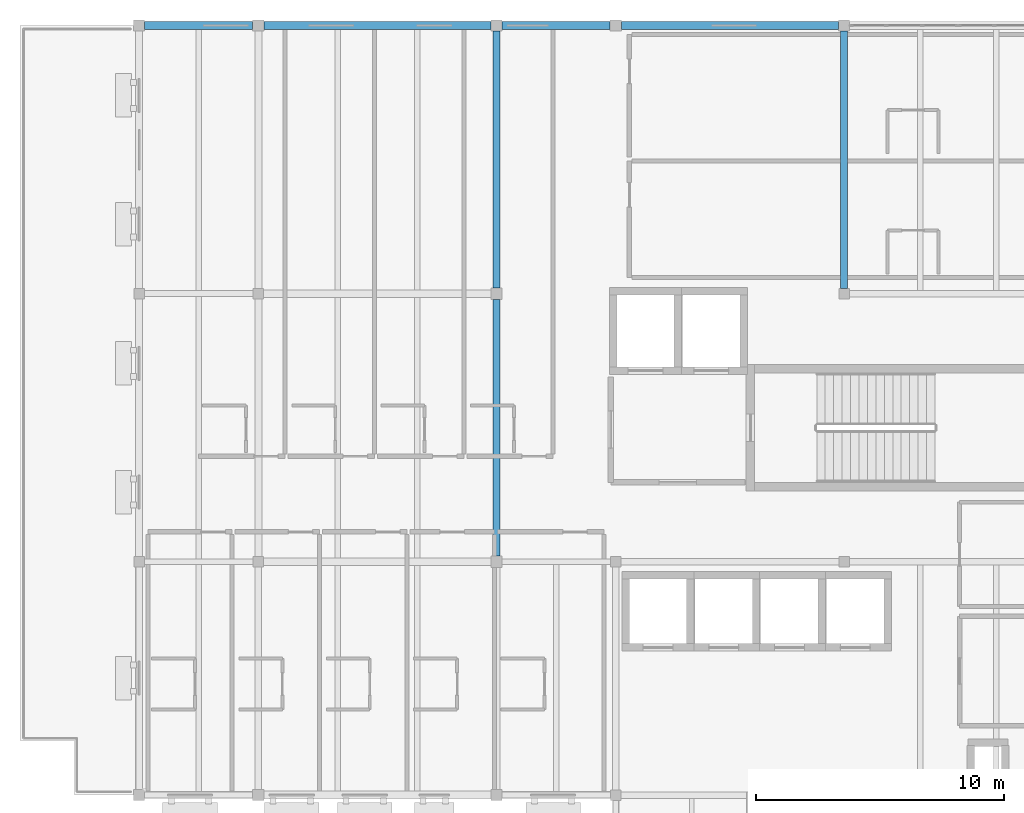
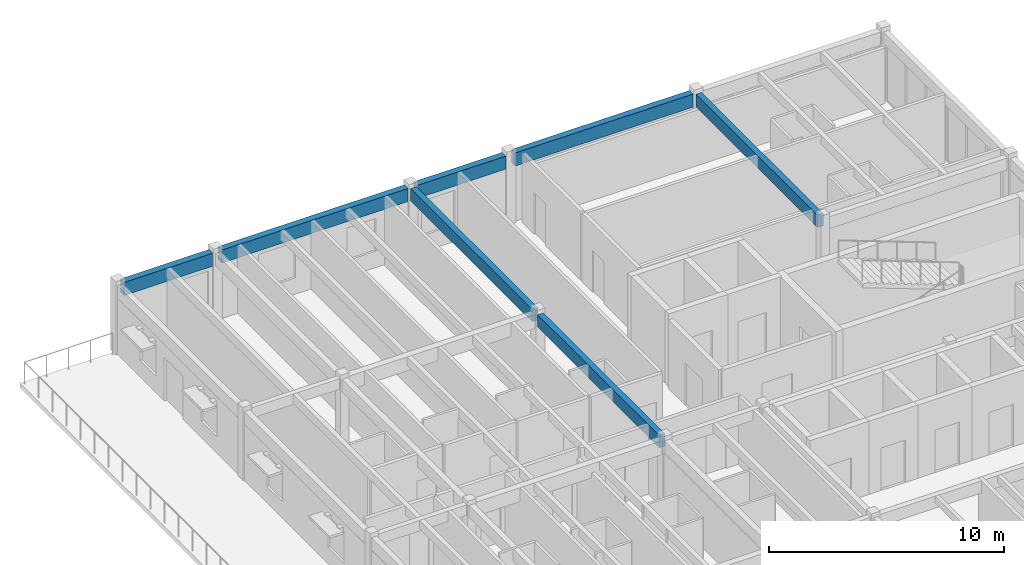
# One storey, part 2 of 15: 7 beams.
"""IFC4 building model written with IfcOpenShell, lengths in metres."""

from ifc_helpers import new_model, si_unit, direction, frame, origin, origin_2d, place, context, subcontext, project, spatial, rectangle, extrude, material, material_profile, profile_set, type_object, element, save


model = new_model("IFC4")

# Units and contexts
model_context = context("Model", 3, precision=1e-05, world=origin(), true_north=direction((0.0, 1.0)))
body_context = subcontext(model_context, "Body", "Model", "MODEL_VIEW")
ifc_project = project(units=[si_unit("LENGTHUNIT", "METRE"), si_unit("AREAUNIT", "SQUARE_METRE"), si_unit("VOLUMEUNIT", "CUBIC_METRE"), si_unit("PLANEANGLEUNIT", "RADIAN"), si_unit("MASSUNIT", "GRAM", prefix="KILO")], contexts=[model_context])

# Site, building, storey
site_placement = place(None, origin())
site = spatial("IfcSite", under=ifc_project, at=site_placement, CompositionType="ELEMENT")
building_placement = place(site_placement, origin())
building = spatial("IfcBuilding", under=site, at=building_placement, Name="Veldera Park Congress Hotel", CompositionType="ELEMENT")
storey_placement = place(building_placement, frame((0.0, 0.0, 39.0)))
storey = spatial("IfcBuildingStorey", under=building, at=storey_placement, Name="L09", CompositionType="ELEMENT", Elevation=39.0)

# Beams
ifc_material = material(Name="Glulam GL28h (NDS 24F-V4)", Category="wood")
ifc_material_profile_1 = material_profile(ifc_material, rectangle(XDim=0.280029296875, YDim=0.639892578125, at=origin_2d()), Name="GL28h 280x640")
ifc_profile_set_1 = profile_set([ifc_material_profile_1], Name="Glulam GL28h (NDS 24F-V4)")
beam_type_1 = type_object("IfcBeamType", Name="BM-GL640", PredefinedType="BEAM", material=ifc_profile_set_1)
beam_1_placement = place(storey_placement, frame((60.800048828125, 36.625, 3.2451171875), z_axis=(0.0, 1.0, 0.0), x_axis=(-1.0, 0.0, 0.0)))
element("IfcBeam", 1, at=beam_1_placement, inside=storey, type_object=beam_type_1, Name="L09 Girder BM-GL640 1863", PredefinedType="BEAM", context=body_context, shape_type="SweptSolid", body=[
    extrude(rectangle(XDim=0.280029296875, YDim=0.639892578125, at=origin_2d()), origin(), (0.0, 0.0, 1.0), 10.35009765625),
])
beam_2_placement = place(storey_placement, frame((60.800048828125, 47.425048828125, 3.2451171875), z_axis=(0.0, 1.0, 0.0), x_axis=(-1.0, 0.0, 0.0)))
element("IfcBeam", 2, at=beam_2_placement, inside=storey, type_object=beam_type_1, Name="L09 Girder BM-GL640 1864", PredefinedType="BEAM", context=body_context, shape_type="SweptSolid", body=[
    extrude(rectangle(XDim=0.280029296875, YDim=0.639892578125, at=origin_2d()), origin(), (0.0, 0.0, 1.0), 10.349853515625),
])
beam_3_placement = place(storey_placement, frame((74.800048828125, 47.409912109375, 3.2451171875), z_axis=(0.0, 1.0, 0.0), x_axis=(-1.0, 0.0, 0.0)))
element("IfcBeam", 3, at=beam_3_placement, inside=storey, type_object=beam_type_1, Name="L09 Girder BM-GL640 1875", PredefinedType="BEAM", context=body_context, shape_type="SweptSolid", body=[
    extrude(rectangle(XDim=0.280029296875, YDim=0.639892578125, at=origin_2d()), origin(), (0.0, 0.0, 1.0), 10.364990234375),
])
ifc_material_profile_2 = material_profile(ifc_material, rectangle(XDim=0.31494140625, YDim=0.679931640625, at=origin_2d()), Name="GL28h 315x680")
ifc_profile_set_2 = profile_set([ifc_material_profile_2], Name="Glulam GL28h (NDS 24F-V4)")
beam_type_2 = type_object("IfcBeamType", Name="BM-GL640E", PredefinedType="BEAM", material=ifc_profile_set_2)
beam_4_placement = place(storey_placement, frame((46.625, 58.0, 3.22509765625), z_axis=(1.0, 0.0, 0.0), x_axis=(0.0, 1.0, 0.0)))
element("IfcBeam", 4, at=beam_4_placement, inside=storey, type_object=beam_type_2, Name="L09 Girder BM-GL640E 1851", PredefinedType="BEAM", context=body_context, shape_type="SweptSolid", body=[
    extrude(rectangle(XDim=0.31494140625, YDim=0.679931640625, at=origin_2d()), origin(), (0.0, 0.0, 1.0), 4.35009765625),
])
beam_5_placement = place(storey_placement, frame((51.425048828125, 58.0, 3.22509765625), z_axis=(1.0, 0.0, 0.0), x_axis=(0.0, 1.0, 0.0)))
element("IfcBeam", 5, at=beam_5_placement, inside=storey, type_object=beam_type_2, Name="L09 Girder BM-GL640E 1852", PredefinedType="BEAM", context=body_context, shape_type="SweptSolid", body=[
    extrude(rectangle(XDim=0.31494140625, YDim=0.679931640625, at=origin_2d()), origin(), (0.0, 0.0, 1.0), 9.14990234375),
])
beam_6_placement = place(storey_placement, frame((61.02490234375, 58.0, 3.22509765625), z_axis=(1.0, 0.0, 0.0), x_axis=(0.0, 1.0, 0.0)))
element("IfcBeam", 6, at=beam_6_placement, inside=storey, type_object=beam_type_2, Name="L09 Girder BM-GL640E 1853", PredefinedType="BEAM", context=body_context, shape_type="SweptSolid", body=[
    extrude(rectangle(XDim=0.31494140625, YDim=0.679931640625, at=origin_2d()), origin(), (0.0, 0.0, 1.0), 4.35009765625),
])
beam_7_placement = place(storey_placement, frame((65.824951171875, 58.0, 3.22509765625), z_axis=(1.0, 0.0, 0.0), x_axis=(0.0, 1.0, 0.0)))
element("IfcBeam", 7, at=beam_7_placement, inside=storey, type_object=beam_type_2, Name="L09 Girder BM-GL640E 1854", PredefinedType="BEAM", context=body_context, shape_type="SweptSolid", body=[
    extrude(rectangle(XDim=0.31494140625, YDim=0.679931640625, at=origin_2d()), origin(), (0.0, 0.0, 1.0), 8.75),
])

save(model, "model.ifc")
